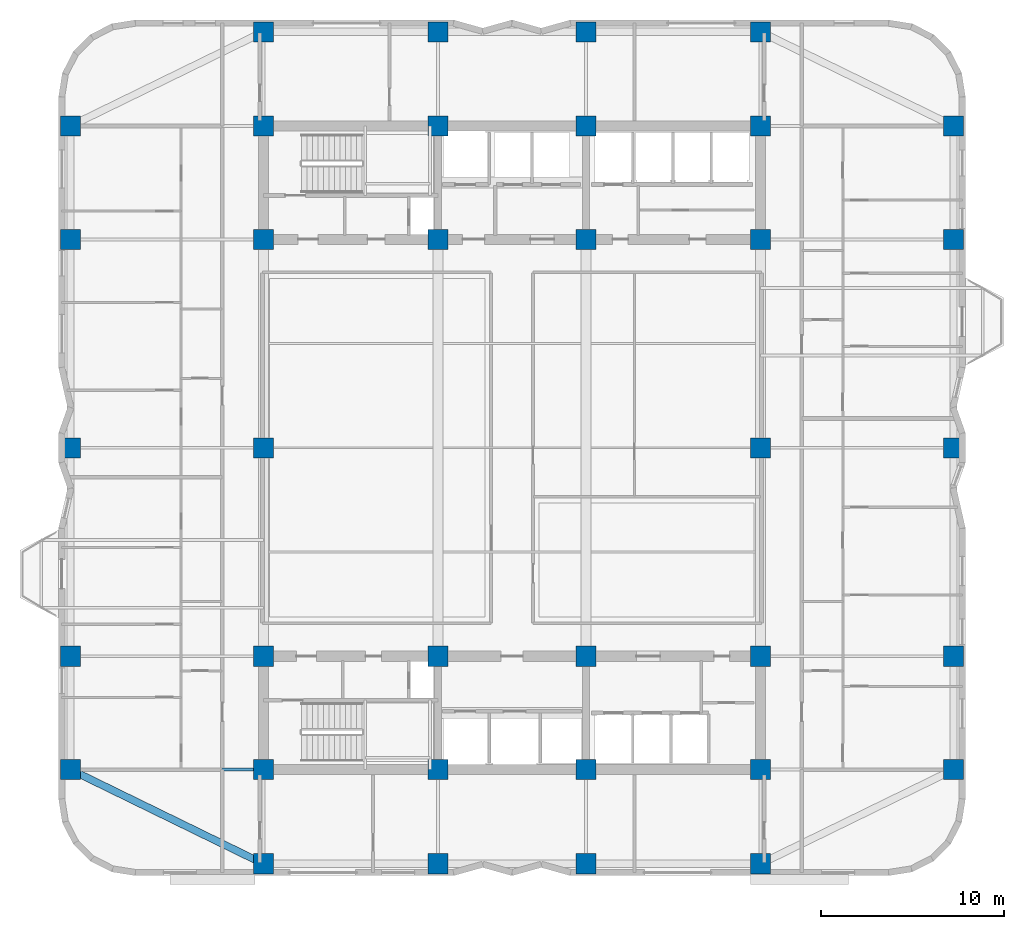
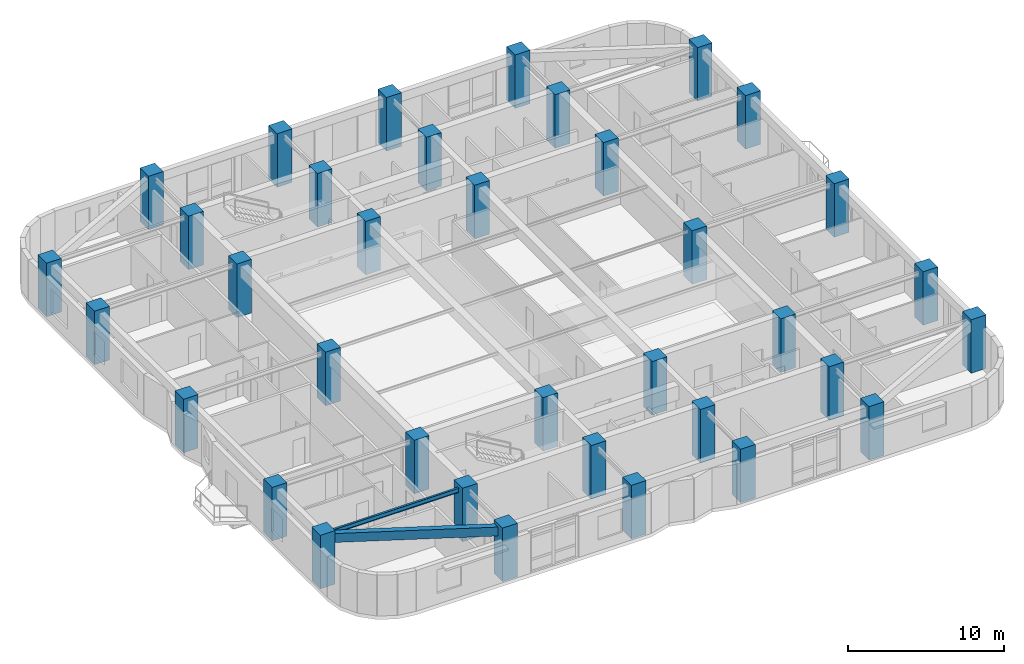
# One storey, part 1 of 15: 36 columns, 2 beams.
"""IFC4 building model written with IfcOpenShell, lengths in metres."""

from ifc_helpers import new_model, si_unit, direction, frame, origin, origin_2d, place, context, subcontext, project, spatial, rectangle, i_section, extrude, material, material_profile, profile_set, type_object, element, save


model = new_model("IFC4")

# Units and contexts
model_context = context("Model", 3, precision=1e-05, world=origin(), true_north=direction((0.0, 1.0)))
body_context = subcontext(model_context, "Body", "Model", "MODEL_VIEW")
ifc_project = project(units=[si_unit("LENGTHUNIT", "METRE"), si_unit("AREAUNIT", "SQUARE_METRE"), si_unit("VOLUMEUNIT", "CUBIC_METRE"), si_unit("PLANEANGLEUNIT", "RADIAN"), si_unit("MASSUNIT", "GRAM", prefix="KILO")], contexts=[model_context])

# Site, building, storey
site_placement = place(None, origin())
site = spatial("IfcSite", under=ifc_project, at=site_placement, CompositionType="ELEMENT")
building_placement = place(site_placement, origin())
building = spatial("IfcBuilding", under=site, at=building_placement, Name="Svetorya Sky Lyceum", CompositionType="ELEMENT")
storey_placement = place(building_placement, frame((0.0, 0.0, 84.10009765625)))
storey = spatial("IfcBuildingStorey", under=building, at=storey_placement, Name="L20", CompositionType="ELEMENT", Elevation=84.10009765625)

# Columns
ifc_material_1 = material(Name="Concrete C50/60", Category="concrete")
ifc_material_profile_1 = material_profile(ifc_material_1, rectangle(XDim=1.10009765625, YDim=1.10009765625, at=origin_2d()), Name="RC COL 1100x1100")
ifc_profile_set_1 = profile_set([ifc_material_profile_1], Name="Concrete C50/60")
column_type = type_object("IfcColumnType", Name="COL-RC-1100", PredefinedType="COLUMN", material=ifc_profile_set_1)
for number, where, z_axis, x_axis, name in (
    (1, (25.60009765625, 10.60009765625, 0.0), (0.0, 0.0, 1.0), (1.0, 0.0, 0.0), "L20 Core Column CS-11"),
    (2, (25.60009765625, 16.800048828125, 0.0), (0.0, 0.0, 1.0), (1.0, 0.0, 0.0), "L20 Core Column CS-12"),
    (3, (35.14990234375, 10.60009765625, 0.0), (0.0, 0.0, 1.0), (1.0, 0.0, 0.0), "L20 Core Column CS-21"),
    (4, (35.14990234375, 16.800048828125, 0.0), (0.0, 0.0, 1.0), (1.0, 0.0, 0.0), "L20 Core Column CS-22"),
    (5, (43.25, 10.60009765625, 0.0), (0.0, 0.0, 1.0), (1.0, 0.0, 0.0), "L20 Core Column CS-31"),
    (6, (43.25, 16.800048828125, 0.0), (0.0, 0.0, 1.0), (1.0, 0.0, 0.0), "L20 Core Column CS-32"),
    (7, (52.800048828125, 10.60009765625, 0.0), (0.0, 0.0, 1.0), (1.0, 0.0, 0.0), "L20 Core Column CS-41"),
    (8, (52.800048828125, 16.800048828125, 0.0), (0.0, 0.0, 1.0), (1.0, 0.0, 0.0), "L20 Core Column CS-42"),
    (9, (25.60009765625, 39.60009765625, 0.0), (0.0, 0.0, 1.0), (1.0, 0.0, 0.0), "L20 Core Column CN-11"),
    (10, (25.60009765625, 45.800048828125, 0.0), (0.0, 0.0, 1.0), (1.0, 0.0, 0.0), "L20 Core Column CN-12"),
    (11, (35.14990234375, 39.60009765625, 0.0), (0.0, 0.0, 1.0), (1.0, 0.0, 0.0), "L20 Core Column CN-21"),
    (12, (35.14990234375, 45.800048828125, 0.0), (0.0, 0.0, 1.0), (1.0, 0.0, 0.0), "L20 Core Column CN-22"),
    (13, (43.25, 39.60009765625, 0.0), (0.0, 0.0, 1.0), (1.0, 0.0, 0.0), "L20 Core Column CN-31"),
    (14, (43.25, 45.800048828125, 0.0), (0.0, 0.0, 1.0), (1.0, 0.0, 0.0), "L20 Core Column CN-32"),
    (15, (52.800048828125, 39.60009765625, 0.0), (0.0, 0.0, 1.0), (1.0, 0.0, 0.0), "L20 Core Column CN-41"),
    (16, (52.800048828125, 45.800048828125, 0.0), (0.0, 0.0, 1.0), (1.0, 0.0, 0.0), "L20 Core Column CN-42"),
    (17, (25.60009765625, 28.199951171875, 0.0), (0.0, 0.0, 1.0), (1.0, 0.0, 0.0), "L20 Core Column CM-W"),
    (18, (52.800048828125, 28.199951171875, 0.0), (0.0, 0.0, 1.0), (1.0, 0.0, 0.0), "L20 Core Column CM-E"),
    (19, (25.60009765625, 5.449951171875, 0.0), (0.0, 0.0, 1.0), (1.0, 0.0, 0.0), "L20 Perimeter Column S1"),
    (20, (25.60009765625, 50.949951171875, 0.0), (0.0, 0.0, 1.0), (1.0, 0.0, 0.0), "L20 Perimeter Column N1"),
    (21, (35.14990234375, 5.449951171875, 0.0), (0.0, 0.0, 1.0), (1.0, 0.0, 0.0), "L20 Perimeter Column S2"),
    (22, (35.14990234375, 50.949951171875, 0.0), (0.0, 0.0, 1.0), (1.0, 0.0, 0.0), "L20 Perimeter Column N2"),
    (23, (43.25, 5.449951171875, 0.0), (0.0, 0.0, 1.0), (1.0, 0.0, 0.0), "L20 Perimeter Column S3"),
    (24, (43.25, 50.949951171875, 0.0), (0.0, 0.0, 1.0), (1.0, 0.0, 0.0), "L20 Perimeter Column N3"),
    (25, (52.800048828125, 5.449951171875, 0.0), (0.0, 0.0, 1.0), (1.0, 0.0, 0.0), "L20 Perimeter Column S4"),
    (26, (52.800048828125, 50.949951171875, 0.0), (0.0, 0.0, 1.0), (1.0, 0.0, 0.0), "L20 Perimeter Column N4"),
    (27, (15.050048828125, 10.60009765625, 0.0), (0.0, 0.0, 1.0), (1.0, 0.0, 0.0), "L20 Perimeter Column W1"),
    (28, (63.35009765625, 10.60009765625, 0.0), (0.0, 0.0, 1.0), (1.0, 0.0, 0.0), "L20 Perimeter Column E1"),
    (29, (15.050048828125, 16.800048828125, 0.0), (0.0, 0.0, 1.0), (1.0, 0.0, 0.0), "L20 Perimeter Column W2"),
    (30, (63.35009765625, 16.800048828125, 0.0), (0.0, 0.0, 1.0), (1.0, 0.0, 0.0), "L20 Perimeter Column E2"),
    (31, (15.050048828125, 28.199951171875, 0.0), (0.0, 0.0, 1.0), (1.0, 0.0, 0.0), "L20 Perimeter Column W3"),
    (32, (63.35009765625, 28.199951171875, 0.0), (0.0, 0.0, 1.0), (1.0, 0.0, 0.0), "L20 Perimeter Column E3"),
    (33, (15.050048828125, 39.60009765625, 0.0), (0.0, 0.0, 1.0), (1.0, 0.0, 0.0), "L20 Perimeter Column W4"),
    (34, (63.35009765625, 39.60009765625, 0.0), (0.0, 0.0, 1.0), (1.0, 0.0, 0.0), "L20 Perimeter Column E4"),
    (35, (15.050048828125, 45.800048828125, 0.0), (0.0, 0.0, 1.0), (1.0, 0.0, 0.0), "L20 Perimeter Column W5"),
    (36, (63.35009765625, 45.800048828125, 0.0), (0.0, 0.0, 1.0), (1.0, 0.0, 0.0), "L20 Perimeter Column E5"),
):
    element("IfcColumn", number, at=place(storey_placement, frame(where, z_axis=z_axis, x_axis=x_axis)), inside=storey, type_object=column_type, Name=name, PredefinedType="COLUMN", context=body_context, shape_type="SweptSolid", body=[
        extrude(rectangle(XDim=1.10009765625, YDim=1.10009765625, at=origin_2d()), origin(), (0.0, 0.0, 1.0), 4.199951171875),
    ])

# Beams
ifc_material_profile_2 = material_profile(ifc_material_1, rectangle(XDim=0.39990234375, YDim=0.699951171875, at=origin_2d()), Name="RC SPANDREL 400x700")
ifc_profile_set_2 = profile_set([ifc_material_profile_2], Name="Concrete C50/60")
beam_type_1 = type_object("IfcBeamType", Name="BM-SPN-700", PredefinedType="SPANDREL", material=ifc_profile_set_2)
beam_1_placement = place(storey_placement, frame((25.60009765625, 5.449951171875, 3.56982421875), z_axis=(-0.898641495694, 0.438683783854, 0.0), x_axis=(-0.438683783854, -0.898641495694, 0.0)))
element("IfcBeam", 37, at=beam_1_placement, inside=storey, type_object=beam_type_1, Name="L20 Corner Spandrel 1", PredefinedType="SPANDREL", context=body_context, shape_type="SweptSolid", body=[
    extrude(rectangle(XDim=0.39990234375, YDim=0.699951171875, at=origin_2d()), origin(), (0.0, 0.0, 1.0), 11.739990234375),
])
ifc_material_2 = material(Name="Steel S355", Category="steel")
ifc_material_profile_3 = material_profile(ifc_material_2, i_section(OverallWidth=0.155029296875, OverallDepth=0.34912109375, WebThickness=0.007080078125, FlangeThickness=0.011474609375, at=origin_2d()), Name="GOST 35B2")
ifc_profile_set_3 = profile_set([ifc_material_profile_3], Name="Steel S355")
beam_type_2 = type_object("IfcBeamType", Name="BM-STL-35B2", PredefinedType="JOIST", material=ifc_profile_set_3)
beam_2_placement = place(storey_placement, frame((15.050048828125, 10.60009765625, 3.745361328125), z_axis=(1.0, 0.0, 0.0), x_axis=(0.0, 1.0, 0.0)))
element("IfcBeam", 38, at=beam_2_placement, inside=storey, type_object=beam_type_2, Name="L20 West Wing Floor Joist W1", PredefinedType="JOIST", context=body_context, shape_type="SweptSolid", body=[
    extrude(i_section(OverallWidth=0.155029296875, OverallDepth=0.34912109375, WebThickness=0.007080078125, FlangeThickness=0.011474609375, at=origin_2d()), origin(), (0.0, 0.0, 1.0), 10.550048828125),
])

save(model, "model.ifc")
